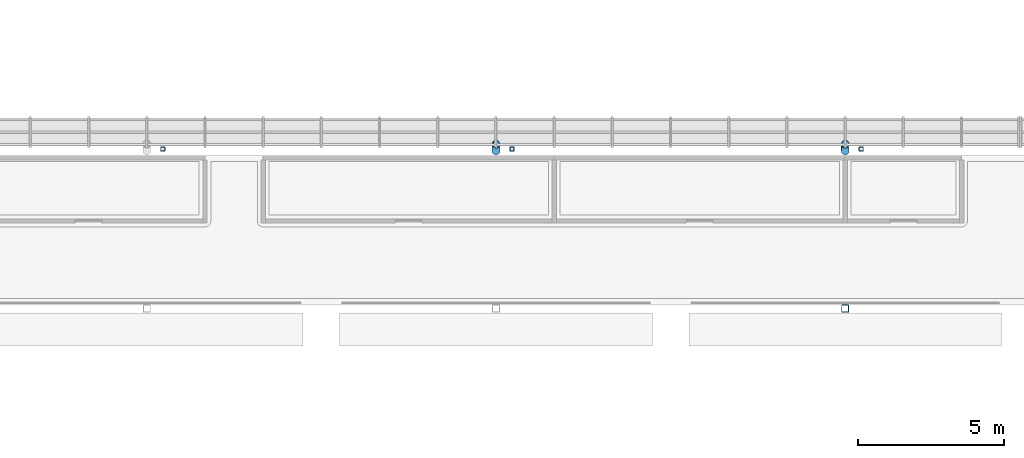
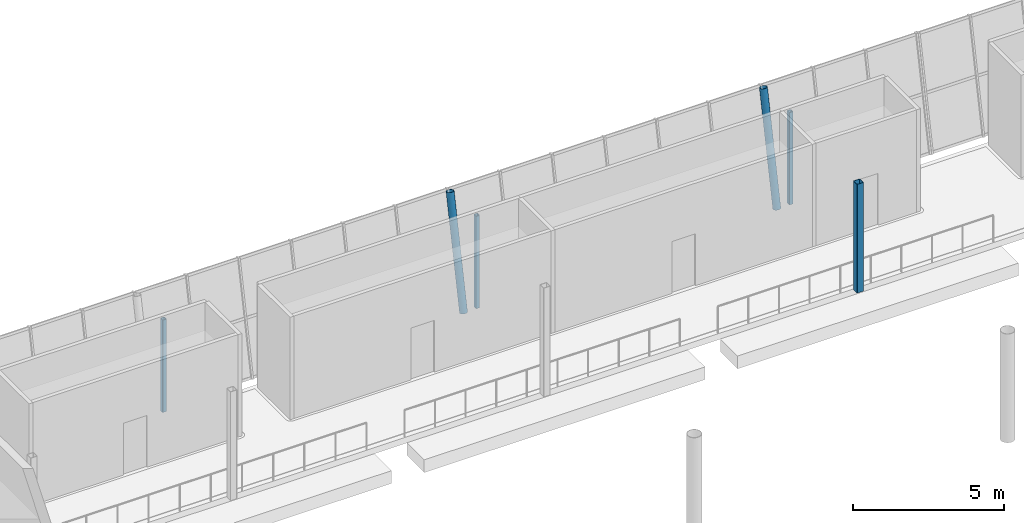
# One storey, part 15 of 115: 6 columns.
"""IFC4 building model written with IfcOpenShell, lengths in metres."""

from ifc_helpers import new_model, si_unit, direction, frame, origin, origin_2d, place, context, subcontext, project, spatial, hollow_rectangle, hollow_circle, extrude, material, material_profile, profile_set, type_object, element, save


model = new_model("IFC4")

# Units and contexts
model_context = context("Model", 3, precision=1e-05, world=origin(), true_north=direction((0.0, 1.0)))
body_context = subcontext(model_context, "Body", "Model", "MODEL_VIEW")
ifc_project = project(units=[si_unit("LENGTHUNIT", "METRE"), si_unit("AREAUNIT", "SQUARE_METRE"), si_unit("VOLUMEUNIT", "CUBIC_METRE"), si_unit("PLANEANGLEUNIT", "RADIAN"), si_unit("MASSUNIT", "GRAM", prefix="KILO")], contexts=[model_context])

# Site, building, storey
site_placement = place(None, origin())
site = spatial("IfcSite", under=ifc_project, at=site_placement, CompositionType="ELEMENT")
building_placement = place(site_placement, origin())
building = spatial("IfcBuilding", under=site, at=building_placement, Name="Windward Yard Aquatics Centre", CompositionType="ELEMENT")
storey_placement = place(building_placement, frame((0.0, 0.0, 5.0)))
storey = spatial("IfcBuildingStorey", under=building, at=storey_placement, Name="L01", CompositionType="ELEMENT", Elevation=5.0)

# Columns
ifc_material = material(Name="Steel ASTM A500 Gr C", Category="steel")
ifc_material_profile_1 = material_profile(ifc_material, hollow_rectangle(XDim=0.15234375, YDim=0.15234375, WallThickness=0.0126953125, InnerFilletRadius=0.00634765625, OuterFilletRadius=0.01904296875, at=origin_2d()), Name="HSS152X152X12.7")
ifc_profile_set_1 = profile_set([ifc_material_profile_1], Name="Steel ASTM A500 Gr C")
column_type_1 = type_object("IfcColumnType", Name="H gallery column HSS152X152X12.7", PredefinedType="COLUMN", material=ifc_profile_set_1)
for number, where, z_axis, x_axis, name in (
    (1, (72.550048828125, 95.77490234375, 0.0), (0.0, 0.0, 1.0), (1.0, 0.0, 0.0), "H.GC.N2.L01"),
    (2, (84.550048828125, 95.77490234375, 0.0), (0.0, 0.0, 1.0), (1.0, 0.0, 0.0), "H.GC.N3.L01"),
    (3, (96.550048828125, 95.77490234375, 0.0), (0.0, 0.0, 1.0), (1.0, 0.0, 0.0), "H.GC.N4.L01"),
):
    element("IfcColumn", number, at=place(storey_placement, frame(where, z_axis=z_axis, x_axis=x_axis)), inside=storey, type_object=column_type_1, Name=name, PredefinedType="COLUMN", context=body_context, shape_type="SweptSolid", body=[
        extrude(hollow_rectangle(XDim=0.15234375, YDim=0.15234375, WallThickness=0.0126953125, InnerFilletRadius=0.00634765625, OuterFilletRadius=0.01904296875, at=origin_2d()), origin(), (0.0, 0.0, 1.0), 3.742919921875),
    ])
ifc_material_profile_2 = material_profile(ifc_material, hollow_rectangle(XDim=0.25390625, YDim=0.25390625, WallThickness=0.015869140625, InnerFilletRadius=0.008056640625, OuterFilletRadius=0.02392578125, at=origin_2d()), Name="HSS254X254X15.9")
ifc_profile_set_2 = profile_set([ifc_material_profile_2], Name="Steel ASTM A500 Gr C")
column_type_2 = type_object("IfcColumnType", Name="H inner column HSS254X254X15.9", PredefinedType="COLUMN", material=ifc_profile_set_2)
column_placement = place(storey_placement, frame((96.0, 90.290283203125, 0.0), z_axis=(0.0, 0.0, 1.0), x_axis=(1.0, 0.0, 0.0)))
element("IfcColumn", 4, at=column_placement, inside=storey, type_object=column_type_2, Name="H.IC.N4.L01", PredefinedType="COLUMN", context=body_context, shape_type="SweptSolid", body=[
    extrude(hollow_rectangle(XDim=0.25390625, YDim=0.25390625, WallThickness=0.015869140625, InnerFilletRadius=0.008056640625, OuterFilletRadius=0.02392578125, at=origin_2d()), origin(), (0.0, 0.0, 1.0), 4.39990234375),
])
ifc_material_profile_3 = material_profile(ifc_material, hollow_circle(Radius=0.136474609375, WallThickness=0.0126953125, at=origin_2d()), Name="HSS273.1X12.7")
ifc_profile_set_3 = profile_set([ifc_material_profile_3], Name="Steel ASTM A500 Gr C")
column_type_3 = type_object("IfcColumnType", Name="H tier 1 leg HSS273.1X12.7", PredefinedType="COLUMN", material=ifc_profile_set_3)
for number, where, z_axis, x_axis, name in (
    (5, (84.0, 95.70556640625, 0.02734375), (0.0, 0.19937683017, 0.979922894717), (-1.0, 0.0, 0.0), "H.TL.N3.T1A.L01"),
    (6, (96.0, 95.70556640625, 0.02734375), (0.0, 0.19937683017, 0.979922894717), (-1.0, 0.0, 0.0), "H.TL.N4.T1A.L01"),
):
    element("IfcColumn", number, at=place(storey_placement, frame(where, z_axis=z_axis, x_axis=x_axis)), inside=storey, type_object=column_type_3, Name=name, PredefinedType="COLUMN", context=body_context, shape_type="SweptSolid", body=[
        extrude(hollow_circle(Radius=0.136474609375, WallThickness=0.0126953125, at=origin_2d()), origin(), (0.0, 0.0, 1.0), 4.462158203125),
    ])

save(model, "model.ifc")
